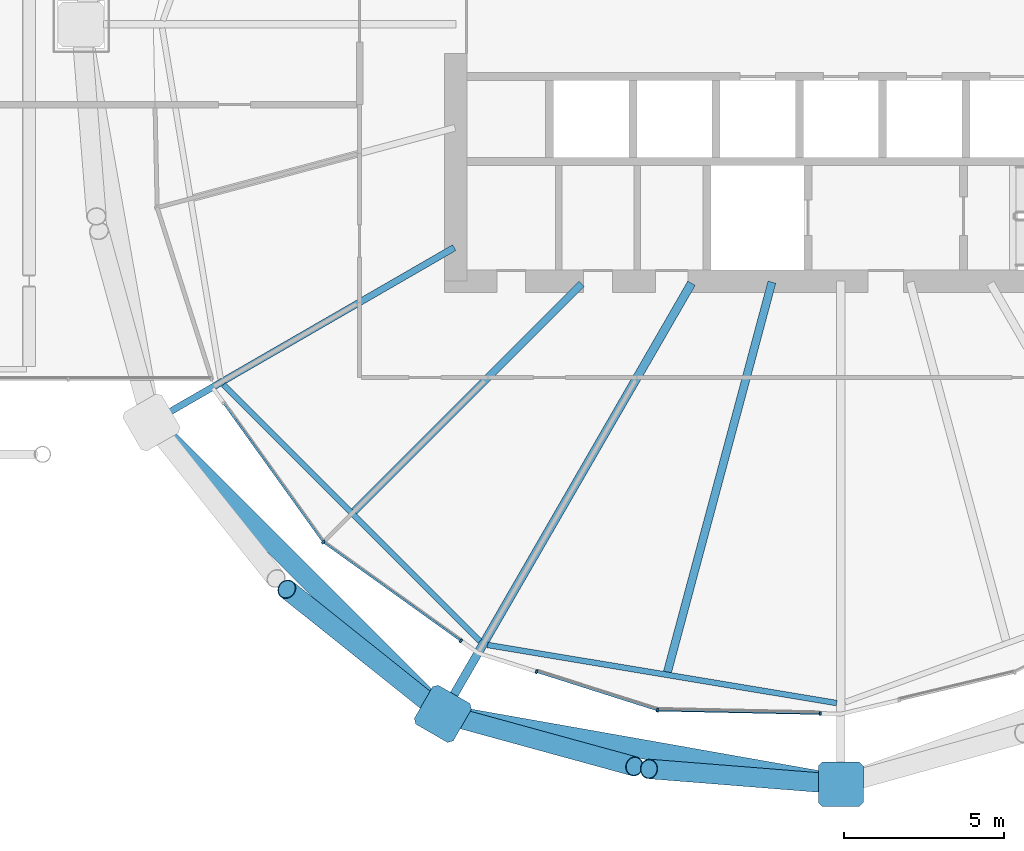
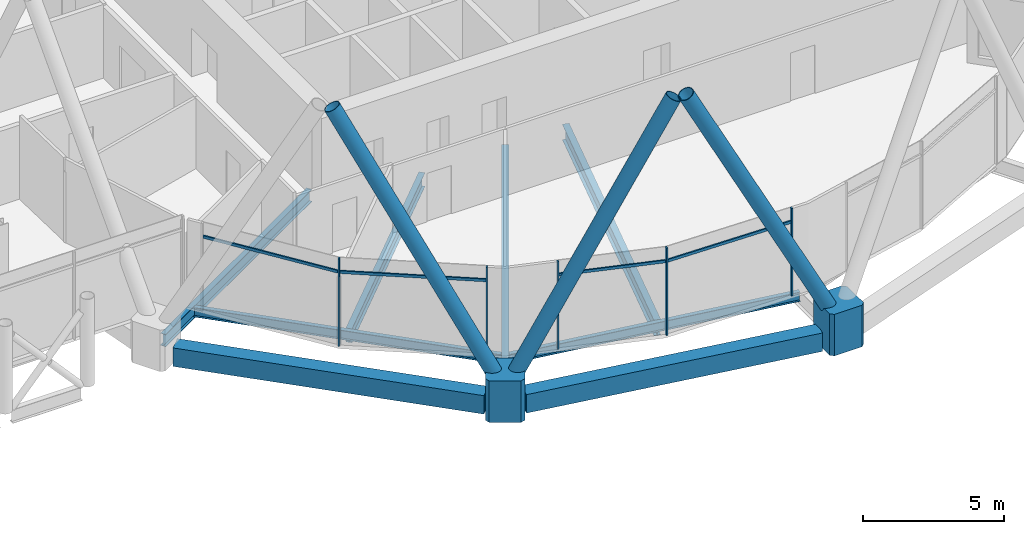
# One storey, part 13 of 35: 14 members, 8 beams, 1 element without a shape of its own.
"""IFC4 building model written with IfcOpenShell, lengths in metres."""

from ifc_helpers import new_model, si_unit, direction, frame, origin, origin_2d, place, context, subcontext, project, spatial, polyline, rectangle, hollow_rectangle, hollow_circle, i_section, outline, extrude, material, material_profile, profile_set, type_object, element, aggregate, save


model = new_model("IFC4")

# Units and contexts
model_context = context("Model", 3, precision=1e-05, world=origin(), true_north=direction((0.0, 1.0)))
body_context = subcontext(model_context, "Body", "Model", "MODEL_VIEW")
ifc_project = project(units=[si_unit("LENGTHUNIT", "METRE"), si_unit("AREAUNIT", "SQUARE_METRE"), si_unit("VOLUMEUNIT", "CUBIC_METRE"), si_unit("PLANEANGLEUNIT", "RADIAN"), si_unit("MASSUNIT", "GRAM", prefix="KILO")], contexts=[model_context])

# Site, building, storey
site_placement = place(None, origin())
site = spatial("IfcSite", under=ifc_project, at=site_placement, CompositionType="ELEMENT")
building_placement = place(site_placement, origin())
building = spatial("IfcBuilding", under=site, at=building_placement, Name="Rimbun Link Towers", CompositionType="ELEMENT")
storey_placement = place(building_placement, frame((0.0, 0.0, 146.800048828125)))
storey = spatial("IfcBuildingStorey", under=building, at=storey_placement, Name="L35", CompositionType="ELEMENT", Elevation=146.800048828125)

# Curtain wall, members
ifc_material_1 = material(Name="Aluminium 6063-T6 and low-iron glass", Category="aluminium")
curtain_wall_type = type_object("IfcCurtainWallType", Name="CW4 link block wall", PredefinedType="NOTDEFINED", material=ifc_material_1)
curtain_wall_placement = place(storey_placement, origin())
curtain_wall = element("IfcCurtainWall", 1, at=curtain_wall_placement, inside=storey, type_object=curtain_wall_type, Name="CW4 L35 T2", PredefinedType="NOTDEFINED")
ifc_material_2 = material(Name="Aluminium 6063-T6", Category="aluminium")
ifc_material_profile_1 = material_profile(ifc_material_2, rectangle(XDim=0.1201171875, YDim=0.06005859375, at=origin_2d()), Name="MULLION 60X120")
ifc_profile_set_1 = profile_set([ifc_material_profile_1], Name="Aluminium 6063-T6")
member_type_1 = type_object("IfcMemberType", Name="CW4 mullion 60X120", PredefinedType="MULLION", material=ifc_profile_set_1)
member_1_placement = place(storey_placement, frame((15.618408203125, -16.131591796875, 0.0), z_axis=(0.0, 0.0, 1.0), x_axis=(-0.707106781187, -0.707106781187, 0.0)))
member_1 = element("IfcMember", 2, at=member_1_placement, type_object=member_type_1, Name="CW4 mullion", PredefinedType="MULLION", context=body_context, shape_type="SweptSolid", body=[
    extrude(rectangle(XDim=0.1201171875, YDim=0.06005859375, at=origin_2d()), origin(), (0.0, 0.0, 1.0), 3.800048828125),
])
member_2_placement = place(storey_placement, frame((19.906005859375, -19.208984375, 0.0), z_axis=(0.0, 0.0, 1.0), x_axis=(-0.58300948996, -0.81246534364, 0.0)))
member_2 = element("IfcMember", 3, at=member_2_placement, type_object=member_type_1, Name="CW4 mullion", PredefinedType="MULLION", context=body_context, shape_type="SweptSolid", body=[
    extrude(rectangle(XDim=0.1201171875, YDim=0.06005859375, at=origin_2d()), origin(), (0.0, 0.0, 1.0), 3.800048828125),
])
member_3_placement = place(storey_placement, frame((26.030029296875, -21.3701171875, 0.0), z_axis=(0.0, 0.0, 1.0), x_axis=(-0.163742365799, -0.986503136154, 0.0)))
member_3 = element("IfcMember", 4, at=member_3_placement, type_object=member_type_1, Name="CW4 mullion", PredefinedType="MULLION", context=body_context, shape_type="SweptSolid", body=[
    extrude(rectangle(XDim=0.1201171875, YDim=0.06005859375, at=origin_2d()), origin(), (0.0, 0.0, 1.0), 3.800048828125),
])
member_4_placement = place(storey_placement, frame((22.261474609375, -20.17236328125, 0.0), z_axis=(0.0, 0.0, 1.0), x_axis=(-0.303059612182, -0.952971600555, 0.0)))
member_4 = element("IfcMember", 5, at=member_4_placement, type_object=member_type_1, Name="CW4 mullion", PredefinedType="MULLION", context=body_context, shape_type="SweptSolid", body=[
    extrude(rectangle(XDim=0.1201171875, YDim=0.06005859375, at=origin_2d()), origin(), (0.0, 0.0, 1.0), 3.800048828125),
])
member_5_placement = place(storey_placement, frame((31.098876953125, -21.4775390625, 0.0), z_axis=(0.0, 0.0, 1.0), x_axis=(-0.021062889527, -0.999778152734, 0.0)))
member_5 = element("IfcMember", 6, at=member_5_placement, type_object=member_type_1, Name="CW4 mullion", PredefinedType="MULLION", context=body_context, shape_type="SweptSolid", body=[
    extrude(rectangle(XDim=0.1201171875, YDim=0.06005859375, at=origin_2d()), origin(), (0.0, 0.0, 1.0), 3.800048828125),
])
ifc_material_3 = material(Name="Aluminium 6063-T6", Category="aluminium")
ifc_material_profile_2 = material_profile(ifc_material_3, rectangle(XDim=0.06005859375, YDim=0.1201171875, at=origin_2d()), Name="TRANSOM 60X120")
ifc_profile_set_2 = profile_set([ifc_material_profile_2], Name="Aluminium 6063-T6")
member_type_2 = type_object("IfcMemberType", Name="CW4 transom 60X120", PredefinedType="USERDEFINED", material=ifc_profile_set_2)
member_6_placement = place(storey_placement, frame((15.59619140625, -16.0986328125, 3.199951171875), z_axis=(-0.583002503332, 0.812470357065, 0.0), x_axis=(-0.812470357065, -0.583002503332, 0.0)))
member_6 = element("IfcMember", 7, at=member_6_placement, type_object=member_type_2, Name="CW4 transom", ObjectType="TRANSOM", PredefinedType="USERDEFINED", context=body_context, shape_type="SweptSolid", body=[
    extrude(rectangle(XDim=0.06005859375, YDim=0.1201171875, at=origin_2d()), origin(), (0.0, 0.0, 1.0), 5.258056640625),
])
member_7_placement = place(storey_placement, frame((19.8828125, -19.18994140625, 3.199951171875), z_axis=(-0.812489980296, 0.58297515549, 0.0), x_axis=(-0.58297515549, -0.812489980296, 0.0)))
member_7 = element("IfcMember", 8, at=member_7_placement, type_object=member_type_2, Name="CW4 transom", ObjectType="TRANSOM", PredefinedType="USERDEFINED", context=body_context, shape_type="SweptSolid", body=[
    extrude(rectangle(XDim=0.06005859375, YDim=0.1201171875, at=origin_2d()), origin(), (0.0, 0.0, 1.0), 5.2080078125),
])
member_8_placement = place(storey_placement, frame((25.99365234375, -21.357177734375, 3.199951171875), z_axis=(-0.952959606223, 0.303097325801, 0.0), x_axis=(-0.303097325801, -0.952959606223, 0.0)))
member_8 = element("IfcMember", 9, at=member_8_placement, type_object=member_type_2, Name="CW4 transom", ObjectType="TRANSOM", PredefinedType="USERDEFINED", context=body_context, shape_type="SweptSolid", body=[
    extrude(rectangle(XDim=0.06005859375, YDim=0.1201171875, at=origin_2d()), origin(), (0.0, 0.0, 1.0), 3.8857421875),
])
member_9_placement = place(storey_placement, frame((31.06884765625, -21.474853515625, 3.199951171875), z_axis=(-0.99977865077, 0.021039236291, 0.0), x_axis=(-0.021039236291, -0.99977865077, 0.0)))
member_9 = element("IfcMember", 10, at=member_9_placement, type_object=member_type_2, Name="CW4 transom", ObjectType="TRANSOM", PredefinedType="USERDEFINED", context=body_context, shape_type="SweptSolid", body=[
    extrude(rectangle(XDim=0.06005859375, YDim=0.1201171875, at=origin_2d()), origin(), (0.0, 0.0, 1.0), 5.00146484375),
])
aggregate(curtain_wall, [member_1, member_2, member_3, member_4, member_5, member_6, member_7, member_8, member_9])

# Members
ifc_material_4 = material(Name="Steel S355J2H", Category="steel")
ifc_material_profile_3 = material_profile(ifc_material_4, hollow_circle(Radius=0.3046875, WallThickness=0.02490234375, at=origin_2d()), Name="Diagrid diagonal CHS 610x25")
ifc_profile_set_3 = profile_set([ifc_material_profile_3], Name="Steel S355J2H")
member_type_3 = type_object("IfcMemberType", Name="Diagrid diagonal CHS 610x25", PredefinedType="BRACE", material=ifc_profile_set_3)
member_10_placement = place(storey_placement, frame((19.159912109375, -21.3408203125, 0.44091796875), z_axis=(-0.368107423135, 0.293948415283, 0.882094810202), x_axis=(-0.623999028811, -0.781425116082, 0.0)))
element("IfcMember", 11, at=member_10_placement, inside=storey, type_object=member_type_3, Name="Diagrid diagonal T2 L35-L38 13a", PredefinedType="BRACE", context=body_context, shape_type="SweptSolid", body=[
    extrude(hollow_circle(Radius=0.3046875, WallThickness=0.02490234375, at=origin_2d()), origin(), (0.0, 0.0, 1.0), 12.717529296875),
])
member_11_placement = place(storey_placement, frame((19.570068359375, -21.5498046875, 0.441650390625), z_axis=(0.452099298512, -0.124046126898, 0.883299939254), x_axis=(0.264598831254, 0.964358573612, 0.0)))
element("IfcMember", 12, at=member_11_placement, inside=storey, type_object=member_type_3, Name="Diagrid diagonal T2 L35-L38 13b", PredefinedType="BRACE", context=body_context, shape_type="SweptSolid", body=[
    extrude(hollow_circle(Radius=0.3046875, WallThickness=0.02490234375, at=origin_2d()), origin(), (0.0, 0.0, 1.0), 12.698486328125),
])
member_12_placement = place(storey_placement, frame((31.521728515625, -23.6630859375, 0.4443359375), z_axis=(-0.456456531097, 0.036318281972, 0.889004171876), x_axis=(-0.079315033085, -0.996849600254, 0.0)))
element("IfcMember", 13, at=member_12_placement, inside=storey, type_object=member_type_3, Name="Diagrid diagonal T2 L35-L38 15a", PredefinedType="BRACE", context=body_context, shape_type="SweptSolid", body=[
    extrude(hollow_circle(Radius=0.3046875, WallThickness=0.02490234375, at=origin_2d()), origin(), (0.0, 0.0, 1.0), 12.61083984375),
])
ifc_material_5 = material(Name="Cast steel G20Mn5+QT, Rp0.2 300 MPa", Category="steel")
ifc_material_profile_4 = material_profile(ifc_material_5, outline(polyline([(0.699951171875, -0.570068359375), (0.699951171875, 0.570068359375), (0.570068359375, 0.699951171875), (-0.570068359375, 0.699951171875), (-0.699951171875, 0.570068359375), (-0.699951171875, -0.570068359375), (-0.570068359375, -0.699951171875), (0.570068359375, -0.699951171875), (0.699951171875, -0.570068359375)])), Name="NODE 1400x1400")
ifc_profile_set_4 = profile_set([ifc_material_profile_4], Name="Cast steel G20Mn5+QT, Rp0.2 300 MPa")
member_type_4 = type_object("IfcMemberType", Name="Diagrid node cast 1400", PredefinedType="USERDEFINED", material=ifc_profile_set_4)
for number, where, z_axis, x_axis, name in (
    (14, (19.343994140625, -21.48779296875, -0.900146484375), (0.0, 0.0, 1.0), (-0.5, -0.866025403784, 0.0), "Diagrid node L35 13"),
    (15, (31.75, -23.68115234375, -0.900146484375), (0.0, 0.0, 1.0), (0.0, -1.0, 0.0), "Diagrid node L35 15"),
):
    element("IfcMember", number, at=place(storey_placement, frame(where, z_axis=z_axis, x_axis=x_axis)), inside=storey, type_object=member_type_4, Name=name, ObjectType="Diagrid node", PredefinedType="USERDEFINED", context=body_context, shape_type="SweptSolid", body=[
        extrude(outline(polyline([(0.699951171875, -0.570068359375), (0.699951171875, 0.570068359375), (0.570068359375, 0.699951171875), (-0.570068359375, 0.699951171875), (-0.699951171875, 0.570068359375), (-0.699951171875, -0.570068359375), (-0.570068359375, -0.699951171875), (0.570068359375, -0.699951171875), (0.699951171875, -0.570068359375)])), origin(), (0.0, 0.0, 1.0), 1.800048828125),
    ])

# Beams
ifc_material_6 = material(Name="Steel S355J2", Category="steel")
ifc_material_profile_5 = material_profile(ifc_material_6, hollow_rectangle(XDim=0.60009765625, YDim=0.800048828125, WallThickness=0.0400390625, at=origin_2d()), Name="Exoskeleton ring girder BOX 600x800x40")
ifc_profile_set_5 = profile_set([ifc_material_profile_5], Name="Steel S355J2")
beam_type_1 = type_object("IfcBeamType", Name="Exoskeleton ring girder BOX 600x800x40", PredefinedType="BEAM", material=ifc_profile_set_5)
beam_1_placement = place(storey_placement, frame((10.757080078125, -12.90087890625, -0.56005859375), z_axis=(0.707106781187, -0.707106781187, 0.0), x_axis=(0.707106781187, 0.707106781187, 0.0)))
element("IfcBeam", 16, at=beam_1_placement, inside=storey, type_object=beam_type_1, Name="Exoskeleton ring girder L35 05", PredefinedType="BEAM", context=body_context, shape_type="SweptSolid", body=[
    extrude(hollow_rectangle(XDim=0.60009765625, YDim=0.800048828125, WallThickness=0.0400390625, at=origin_2d()), origin(), (0.0, 0.0, 1.0), 11.44384765625),
])
beam_2_placement = place(storey_placement, frame((20.033203125, -21.609619140625, -0.56005859375), z_axis=(0.984727542202, -0.174102463017, 0.0), x_axis=(0.174102463017, 0.984727542202, 0.0)))
element("IfcBeam", 17, at=beam_2_placement, inside=storey, type_object=beam_type_1, Name="Exoskeleton ring girder L35 06", PredefinedType="BEAM", context=body_context, shape_type="SweptSolid", body=[
    extrude(hollow_rectangle(XDim=0.60009765625, YDim=0.800048828125, WallThickness=0.0400390625, at=origin_2d()), origin(), (0.0, 0.0, 1.0), 11.19873046875),
])
ifc_material_7 = material(Name="Steel S355J2", Category="steel")
ifc_material_profile_6 = material_profile(ifc_material_7, i_section(OverallWidth=0.177978515625, OverallDepth=0.406494140625, WebThickness=0.0078125, FlangeThickness=0.0126953125, at=origin_2d()), Name="UB 406x178x60")
ifc_profile_set_6 = profile_set([ifc_material_profile_6], Name="Steel S355J2")
beam_type_2 = type_object("IfcBeamType", Name="UB 406x178x60", PredefinedType="BEAM", material=ifc_profile_set_6)
beam_3_placement = place(storey_placement, frame((12.509765625, -11.23046875, -0.38330078125), z_axis=(0.707106781187, -0.707106781187, 0.0), x_axis=(0.707106781187, 0.707106781187, 0.0)))
element("IfcBeam", 18, at=beam_3_placement, inside=storey, type_object=beam_type_2, Name="Edge beam T2 L35 11-13", PredefinedType="BEAM", context=body_context, shape_type="SweptSolid", body=[
    extrude(i_section(OverallWidth=0.177978515625, OverallDepth=0.406494140625, WebThickness=0.0078125, FlangeThickness=0.0126953125, at=origin_2d()), origin(), (0.0, 0.0, 1.0), 11.2978515625),
])
beam_4_placement = place(storey_placement, frame((20.73828125, -19.34130859375, -0.38330078125), z_axis=(0.986428607905, -0.164190747323, 0.0), x_axis=(0.164190747323, 0.986428607905, 0.0)))
element("IfcBeam", 19, at=beam_4_placement, inside=storey, type_object=beam_type_2, Name="Edge beam T2 L35 13-15", PredefinedType="BEAM", context=body_context, shape_type="SweptSolid", body=[
    extrude(i_section(OverallWidth=0.177978515625, OverallDepth=0.406494140625, WebThickness=0.0078125, FlangeThickness=0.0126953125, at=origin_2d()), origin(), (0.0, 0.0, 1.0), 11.027099609375),
])
ifc_material_8 = material(Name="Steel S355J2", Category="steel")
ifc_material_profile_7 = material_profile(ifc_material_8, i_section(OverallWidth=0.209228515625, OverallDepth=0.533203125, WebThickness=0.010009765625, FlangeThickness=0.015625, at=origin_2d()), Name="UB 533x210x92")
ifc_profile_set_7 = profile_set([ifc_material_profile_7], Name="Steel S355J2")
beam_type_3 = type_object("IfcBeamType", Name="UB 533x210x92", PredefinedType="BEAM", material=ifc_profile_set_7)
beam_5_placement = place(storey_placement, frame((19.69677734375, -6.958984375, -0.446533203125), z_axis=(-0.866024431703, -0.50000168369, 0.0), x_axis=(0.50000168369, -0.866024431703, 0.0)))
element("IfcBeam", 20, at=beam_5_placement, inside=storey, type_object=beam_type_3, Name="Radial beam T2 L35 11", PredefinedType="BEAM", context=body_context, shape_type="SweptSolid", body=[
    extrude(i_section(OverallWidth=0.209228515625, OverallDepth=0.533203125, WebThickness=0.010009765625, FlangeThickness=0.015625, at=origin_2d()), origin(), (0.0, 0.0, 1.0), 10.39404296875),
])
ifc_material_9 = material(Name="Steel S355J2", Category="steel")
ifc_material_profile_8 = material_profile(ifc_material_9, i_section(OverallWidth=0.2275390625, OverallDepth=0.6025390625, WebThickness=0.010498046875, FlangeThickness=0.014892578125, at=origin_2d()), Name="UB 610x229x101")
ifc_profile_set_8 = profile_set([ifc_material_profile_8], Name="Steel S355J2")
beam_type_4 = type_object("IfcBeamType", Name="UB 610x229x101", PredefinedType="BEAM", material=ifc_profile_set_8)
beam_6_placement = place(storey_placement, frame((23.668701171875, -8.081298828125, -0.4814453125), z_axis=(-0.707106781187, -0.707106781187, 0.0), x_axis=(0.707106781187, -0.707106781187, 0.0)))
element("IfcBeam", 21, at=beam_6_placement, inside=storey, type_object=beam_type_4, Name="Radial beam T2 L35 12", PredefinedType="BEAM", context=body_context, shape_type="SweptSolid", body=[
    extrude(i_section(OverallWidth=0.2275390625, OverallDepth=0.6025390625, WebThickness=0.010498046875, FlangeThickness=0.014892578125, at=origin_2d()), origin(), (0.0, 0.0, 1.0), 10.02734375),
])
ifc_material_10 = material(Name="Steel S355J2", Category="steel")
ifc_material_profile_9 = material_profile(ifc_material_10, i_section(OverallWidth=0.253662109375, OverallDepth=0.68359375, WebThickness=0.012451171875, FlangeThickness=0.01904296875, at=origin_2d()), Name="UB 686x254x140")
ifc_profile_set_9 = profile_set([ifc_material_profile_9], Name="Steel S355J2")
beam_type_5 = type_object("IfcBeamType", Name="UB 686x254x140", PredefinedType="BEAM", material=ifc_profile_set_9)
beam_7_placement = place(storey_placement, frame((29.597412109375, -8.03369140625, -0.521728515625), z_axis=(-0.258819848058, -0.965925611137, 0.0), x_axis=(0.965925611137, -0.258819848058, 0.0)))
element("IfcBeam", 22, at=beam_7_placement, inside=storey, type_object=beam_type_5, Name="Radial beam T2 L35 14", PredefinedType="BEAM", context=body_context, shape_type="SweptSolid", body=[
    extrude(i_section(OverallWidth=0.253662109375, OverallDepth=0.68359375, WebThickness=0.012451171875, FlangeThickness=0.01904296875, at=origin_2d()), origin(), (0.0, 0.0, 1.0), 12.57763671875),
])
ifc_material_11 = material(Name="Steel S355J2", Category="steel")
ifc_material_profile_10 = material_profile(ifc_material_11, i_section(OverallWidth=0.2666015625, OverallDepth=0.76220703125, WebThickness=0.014404296875, FlangeThickness=0.021484375, at=origin_2d()), Name="UB 762x267x173")
ifc_profile_set_10 = profile_set([ifc_material_profile_10], Name="Steel S355J2")
beam_type_6 = type_object("IfcBeamType", Name="UB 762x267x173", PredefinedType="BEAM", material=ifc_profile_set_10)
beam_8_placement = place(storey_placement, frame((27.09228515625, -8.0673828125, -0.56103515625), z_axis=(-0.500003358697, -0.866023464631, 0.0), x_axis=(0.866023464631, -0.500003358697, 0.0)))
element("IfcBeam", 23, at=beam_8_placement, inside=storey, type_object=beam_type_6, Name="Radial beam T2 L35 13", PredefinedType="BEAM", context=body_context, shape_type="SweptSolid", body=[
    extrude(i_section(OverallWidth=0.2666015625, OverallDepth=0.76220703125, WebThickness=0.014404296875, FlangeThickness=0.021484375, at=origin_2d()), origin(), (0.0, 0.0, 1.0), 14.99658203125),
])

save(model, "model.ifc")
